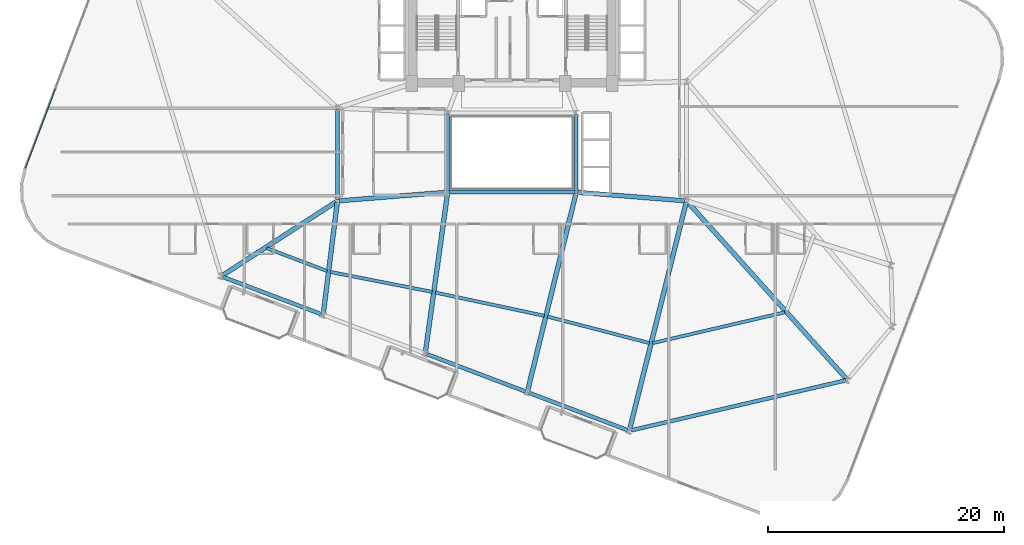
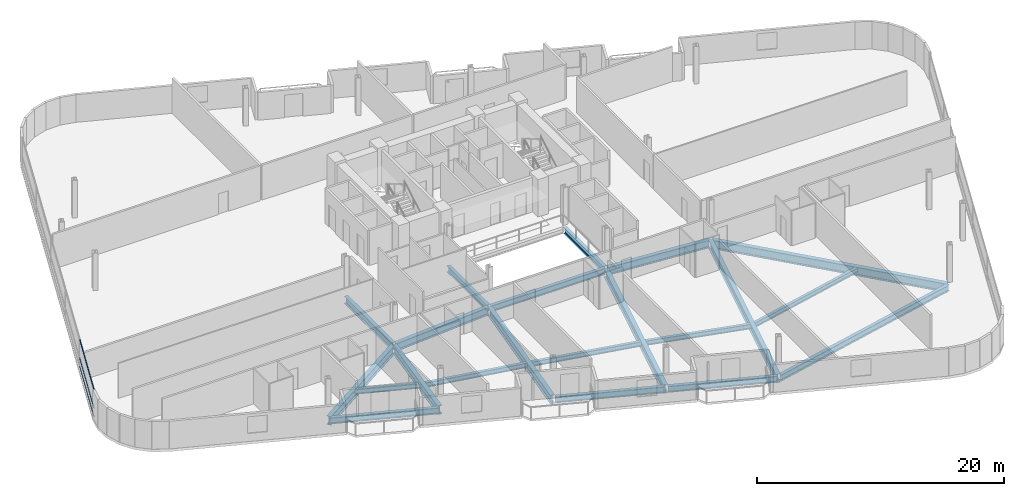
# One storey, part 3 of 25: 21 beams, 3 members, 1 element without a shape of its own.
"""IFC4 building model written with IfcOpenShell, lengths in metres."""

from ifc_helpers import new_model, si_unit, direction, frame, origin, origin_2d, place, context, subcontext, project, spatial, hollow_rectangle, i_section, extrude, material, layer, layer_set, material_profile, profile_set, type_object, element, aggregate, save


model = new_model("IFC4")

# Units and contexts
model_context = context("Model", 3, precision=1e-05, world=origin(), true_north=direction((0.0, 1.0)))
body_context = subcontext(model_context, "Body", "Model", "MODEL_VIEW")
ifc_project = project(units=[si_unit("LENGTHUNIT", "METRE"), si_unit("AREAUNIT", "SQUARE_METRE"), si_unit("VOLUMEUNIT", "CUBIC_METRE"), si_unit("PLANEANGLEUNIT", "RADIAN"), si_unit("MASSUNIT", "GRAM", prefix="KILO")], contexts=[model_context])

# Site, building, storey
site_placement = place(None, origin())
site = spatial("IfcSite", under=ifc_project, at=site_placement, CompositionType="ELEMENT")
building_placement = place(site_placement, origin())
building = spatial("IfcBuilding", under=site, at=building_placement, Name="Varnelok Gate Tower", CompositionType="ELEMENT")
storey_placement = place(building_placement, frame((0.0, 0.0, 83.60009765625)))
storey = spatial("IfcBuildingStorey", under=building, at=storey_placement, Name="L20", CompositionType="ELEMENT", Elevation=83.60009765625)

# Beams
ifc_material_1 = material(Name="Structural Steel ASTM A992 Grade 50", Category="steel")
ifc_material_profile_1 = material_profile(ifc_material_1, i_section(OverallWidth=0.280029296875, OverallDepth=0.462890625, WebThickness=0.0107421875, FlangeThickness=0.017333984375, FilletRadius=0.014892578125, at=origin_2d()), Name="W18X76")
ifc_profile_set_1 = profile_set([ifc_material_profile_1], Name="Structural Steel ASTM A992 Grade 50")
beam_type_1 = type_object("IfcBeamType", Name="BM-JST-W18X76", PredefinedType="JOIST", material=ifc_profile_set_1)
beam_1_placement = place(storey_placement, frame((18.41845703125, 14.79248046875, -0.481689453125), z_axis=(0.935220980755, -0.354064566365, 0.0), x_axis=(0.354064566365, 0.935220980755, 0.0)))
element("IfcBeam", 1, at=beam_1_placement, inside=storey, type_object=beam_type_1, Name="L20 Sector Floor Joist 1", PredefinedType="JOIST", context=body_context, shape_type="SweptSolid", body=[
    extrude(i_section(OverallWidth=0.280029296875, OverallDepth=0.462890625, WebThickness=0.0107421875, FlangeThickness=0.017333984375, FilletRadius=0.014892578125, at=origin_2d()), origin(), (0.0, 0.0, 1.0), 5.454833984375),
])
beam_2_placement = place(storey_placement, frame((23.788330078125, 12.78466796875, -0.481689453125), z_axis=(0.981373341714, -0.192110291692, 0.0), x_axis=(0.192110291692, 0.981373341714, 0.0)))
element("IfcBeam", 2, at=beam_2_placement, inside=storey, type_object=beam_type_1, Name="L20 Sector Floor Joist 2", PredefinedType="JOIST", context=body_context, shape_type="SweptSolid", body=[
    extrude(i_section(OverallWidth=0.280029296875, OverallDepth=0.462890625, WebThickness=0.0107421875, FlangeThickness=0.017333984375, FilletRadius=0.014892578125, at=origin_2d()), origin(), (0.0, 0.0, 1.0), 8.8056640625),
])
beam_3_placement = place(storey_placement, frame((32.704345703125, 11.03662109375, -0.481689453125), z_axis=(0.977938835905, -0.20889143886, 0.0), x_axis=(0.20889143886, 0.977938835905, 0.0)))
element("IfcBeam", 3, at=beam_3_placement, inside=storey, type_object=beam_type_1, Name="L20 Sector Floor Joist 3", PredefinedType="JOIST", context=body_context, shape_type="SweptSolid", body=[
    extrude(i_section(OverallWidth=0.280029296875, OverallDepth=0.462890625, WebThickness=0.0107421875, FlangeThickness=0.017333984375, FilletRadius=0.014892578125, at=origin_2d()), origin(), (0.0, 0.0, 1.0), 9.43994140625),
])
beam_4_placement = place(storey_placement, frame((42.20849609375, 9.000244140625, -0.481689453125), z_axis=(0.967889835008, -0.251374754675, 0.0), x_axis=(0.251374754675, 0.967889835008, 0.0)))
element("IfcBeam", 4, at=beam_4_placement, inside=storey, type_object=beam_type_1, Name="L20 Sector Floor Joist 4", PredefinedType="JOIST", context=body_context, shape_type="SweptSolid", body=[
    extrude(i_section(OverallWidth=0.280029296875, OverallDepth=0.462890625, WebThickness=0.0107421875, FlangeThickness=0.017333984375, FilletRadius=0.014892578125, at=origin_2d()), origin(), (0.0, 0.0, 1.0), 8.932373046875),
])
beam_5_placement = place(storey_placement, frame((51.125732421875, 6.751708984375, -0.481689453125), z_axis=(0.973879585233, 0.227065086412, 0.0), x_axis=(-0.227065086412, 0.973879585233, 0.0)))
element("IfcBeam", 5, at=beam_5_placement, inside=storey, type_object=beam_type_1, Name="L20 Sector Floor Joist 5", PredefinedType="JOIST", context=body_context, shape_type="SweptSolid", body=[
    extrude(i_section(OverallWidth=0.280029296875, OverallDepth=0.462890625, WebThickness=0.0107421875, FlangeThickness=0.017333984375, FilletRadius=0.014892578125, at=origin_2d()), origin(), (0.0, 0.0, 1.0), 11.492919921875),
])
ifc_material_profile_2 = material_profile(ifc_material_1, i_section(OverallWidth=0.35498046875, OverallDepth=0.696044921875, WebThickness=0.015380859375, FlangeThickness=0.02490234375, FilletRadius=0.02001953125, at=origin_2d()), Name="W27X146")
ifc_profile_set_2 = profile_set([ifc_material_profile_2], Name="Structural Steel ASTM A992 Grade 50")
beam_type_2 = type_object("IfcBeamType", Name="BM-PRI-W27X146", PredefinedType="BEAM", material=ifc_profile_set_2)
beam_6_placement = place(storey_placement, frame((24.39990234375, 18.919921875, -0.59814453125), z_axis=(0.0, 1.0, 0.0), x_axis=(-1.0, 0.0, 0.0)))
element("IfcBeam", 6, at=beam_6_placement, inside=storey, type_object=beam_type_2, Name="L20 Core-Atrium Spine Beam 16", PredefinedType="BEAM", context=body_context, shape_type="SweptSolid", body=[
    extrude(i_section(OverallWidth=0.35498046875, OverallDepth=0.696044921875, WebThickness=0.015380859375, FlangeThickness=0.02490234375, FilletRadius=0.02001953125, at=origin_2d()), origin(), (0.0, 0.0, 1.0), 7.64013671875),
])
ifc_material_profile_3 = material_profile(ifc_material_1, i_section(OverallWidth=0.381103515625, OverallDepth=0.77294921875, WebThickness=0.0166015625, FlangeThickness=0.027099609375, FilletRadius=0.02197265625, at=origin_2d()), Name="W30X173")
ifc_profile_set_3 = profile_set([ifc_material_profile_3], Name="Structural Steel ASTM A992 Grade 50")
beam_type_3 = type_object("IfcBeamType", Name="BM-PRI-W30X173", PredefinedType="BEAM", material=ifc_profile_set_3)
for number, where, z_axis, x_axis, name in (
    (7, (24.51953125, 18.8095703125, -0.63671875), (0.996799206292, 0.07994587128, 0.0), (-0.07994587128, 0.996799206292, 0.0), "L20 Core-Atrium Spine Beam 14"),
    (8, (44.76953125, 19.540283203125, -0.63671875), (0.996799206292, -0.07994587128, 0.0), (0.07994587128, 0.996799206292, 0.0), "L20 Core-Atrium Spine Beam 18"),
):
    element("IfcBeam", number, at=place(storey_placement, frame(where, z_axis=z_axis, x_axis=x_axis)), inside=storey, type_object=beam_type_3, Name=name, PredefinedType="BEAM", context=body_context, shape_type="SweptSolid", body=[
        extrude(i_section(OverallWidth=0.381103515625, OverallDepth=0.77294921875, WebThickness=0.0166015625, FlangeThickness=0.027099609375, FilletRadius=0.02197265625, at=origin_2d()), origin(), (0.0, 0.0, 1.0), 9.14013671875),
    ])
ifc_material_profile_4 = material_profile(ifc_material_1, i_section(OverallWidth=0.39892578125, OverallDepth=0.85498046875, WebThickness=0.018310546875, FlangeThickness=0.029296875, FilletRadius=0.02392578125, at=origin_2d()), Name="W33X201")
ifc_profile_set_4 = profile_set([ifc_material_profile_4], Name="Structural Steel ASTM A992 Grade 50")
beam_type_4 = type_object("IfcBeamType", Name="BM-PRI-W33X201", PredefinedType="BEAM", material=ifc_profile_set_4)
beam_7_placement = place(storey_placement, frame((24.274169921875, 18.718505859375, -0.677490234375), z_axis=(-0.839398998687, -0.543515704468, 0.0), x_axis=(0.543515704468, -0.839398998687, 0.0)))
element("IfcBeam", 9, at=beam_7_placement, inside=storey, type_object=beam_type_4, Name="L20 Radial Floor Girder 1", PredefinedType="BEAM", context=body_context, shape_type="SweptSolid", body=[
    extrude(i_section(OverallWidth=0.39892578125, OverallDepth=0.85498046875, WebThickness=0.018310546875, FlangeThickness=0.029296875, FilletRadius=0.02392578125, at=origin_2d()), origin(), (0.0, 0.0, 1.0), 11.4453125),
])
beam_8_placement = place(storey_placement, frame((24.38134765625, 18.651123046875, -0.677490234375), z_axis=(-0.124114361033, -0.992267920163, 0.0), x_axis=(0.992267920163, -0.124114361033, 0.0)))
element("IfcBeam", 10, at=beam_8_placement, inside=storey, type_object=beam_type_4, Name="L20 Radial Floor Girder 2", PredefinedType="BEAM", context=body_context, shape_type="SweptSolid", body=[
    extrude(i_section(OverallWidth=0.39892578125, OverallDepth=0.85498046875, WebThickness=0.018310546875, FlangeThickness=0.029296875, FilletRadius=0.02392578125, at=origin_2d()), origin(), (0.0, 0.0, 1.0), 9.43408203125),
])
beam_9_placement = place(storey_placement, frame((33.729248046875, 19.4013671875, -0.677490234375), z_axis=(-0.138054699139, -0.990424605937, 0.0), x_axis=(0.990424605937, -0.138054699139, 0.0)))
element("IfcBeam", 11, at=beam_9_placement, inside=storey, type_object=beam_type_4, Name="L20 Radial Floor Girder 3", PredefinedType="BEAM", context=body_context, shape_type="SweptSolid", body=[
    extrude(i_section(OverallWidth=0.39892578125, OverallDepth=0.85498046875, WebThickness=0.018310546875, FlangeThickness=0.029296875, FilletRadius=0.02392578125, at=origin_2d()), origin(), (0.0, 0.0, 1.0), 13.51611328125),
])
beam_10_placement = place(storey_placement, frame((44.6142578125, 19.404296875, -0.677490234375), z_axis=(-0.238054163128, -0.971251880522, 0.0), x_axis=(0.971251880522, -0.238054163128, 0.0)))
element("IfcBeam", 12, at=beam_10_placement, inside=storey, type_object=beam_type_4, Name="L20 Radial Floor Girder 4", PredefinedType="BEAM", context=body_context, shape_type="SweptSolid", body=[
    extrude(i_section(OverallWidth=0.39892578125, OverallDepth=0.85498046875, WebThickness=0.018310546875, FlangeThickness=0.029296875, FilletRadius=0.02392578125, at=origin_2d()), origin(), (0.0, 0.0, 1.0), 17.160888671875),
])
beam_11_placement = place(storey_placement, frame((53.963623046875, 18.654541015625, -0.677490234375), z_axis=(-0.241818229902, -0.970321567156, 0.0), x_axis=(0.970321567156, -0.241818229902, 0.0)))
element("IfcBeam", 13, at=beam_11_placement, inside=storey, type_object=beam_type_4, Name="L20 Radial Floor Girder 5", PredefinedType="BEAM", context=body_context, shape_type="SweptSolid", body=[
    extrude(i_section(OverallWidth=0.39892578125, OverallDepth=0.85498046875, WebThickness=0.018310546875, FlangeThickness=0.029296875, FilletRadius=0.02392578125, at=origin_2d()), origin(), (0.0, 0.0, 1.0), 19.7802734375),
])
beam_12_placement = place(storey_placement, frame((54.100341796875, 18.6884765625, -0.677490234375), z_axis=(0.668462619128, -0.743745740713, 0.0), x_axis=(0.743745740713, 0.668462619128, 0.0)))
element("IfcBeam", 14, at=beam_12_placement, inside=storey, type_object=beam_type_4, Name="L20 Radial Floor Girder 6", PredefinedType="BEAM", context=body_context, shape_type="SweptSolid", body=[
    extrude(i_section(OverallWidth=0.39892578125, OverallDepth=0.85498046875, WebThickness=0.018310546875, FlangeThickness=0.029296875, FilletRadius=0.02392578125, at=origin_2d()), origin(), (0.0, 0.0, 1.0), 20.099853515625),
])
ifc_material_profile_5 = material_profile(ifc_material_1, i_section(OverallWidth=0.323974609375, OverallDepth=0.611083984375, WebThickness=0.0126953125, FlangeThickness=0.01904296875, FilletRadius=0.01806640625, at=origin_2d()), Name="W24X104")
ifc_profile_set_5 = profile_set([ifc_material_profile_5], Name="Structural Steel ASTM A992 Grade 50")
beam_type_5 = type_object("IfcBeamType", Name="BM-SPN-W24X104", PredefinedType="SPANDREL", material=ifc_profile_set_5)
beam_13_placement = place(storey_placement, frame((33.8701171875, 19.550048828125, -0.5556640625), z_axis=(1.0, 0.0, 0.0), x_axis=(0.0, 1.0, 0.0)))
element("IfcBeam", 15, at=beam_13_placement, inside=storey, type_object=beam_type_5, Name="L20 Core-Atrium Spine Beam 8", PredefinedType="SPANDREL", context=body_context, shape_type="SweptSolid", body=[
    extrude(i_section(OverallWidth=0.323974609375, OverallDepth=0.611083984375, WebThickness=0.0126953125, FlangeThickness=0.01904296875, FilletRadius=0.01806640625, at=origin_2d()), origin(), (0.0, 0.0, 1.0), 10.659912109375),
])
for number, where, z_axis, x_axis, name in (
    (16, (33.75, 19.669921875, -0.5556640625), (0.0, 1.0, 0.0), (-1.0, 0.0, 0.0), "L20 Core-Atrium Spine Beam 10"),
    (17, (44.64990234375, 19.669921875, -0.5556640625), (0.0, 1.0, 0.0), (-1.0, 0.0, 0.0), "L20 Core-Atrium Spine Beam 11"),
):
    element("IfcBeam", number, at=place(storey_placement, frame(where, z_axis=z_axis, x_axis=x_axis)), inside=storey, type_object=beam_type_5, Name=name, PredefinedType="SPANDREL", context=body_context, shape_type="SweptSolid", body=[
        extrude(i_section(OverallWidth=0.323974609375, OverallDepth=0.611083984375, WebThickness=0.0126953125, FlangeThickness=0.01904296875, FilletRadius=0.01806640625, at=origin_2d()), origin(), (0.0, 0.0, 1.0), 6.4599609375),
    ])
for number, where, z_axis, x_axis, name in (
    (18, (14.681396484375, 12.363037109375, -0.5556640625), (0.935225969099, -0.354051389947, 0.0), (0.354051389947, 0.935225969099, 0.0), "L20 Perimeter Spandrel Beam 1"),
    (19, (31.98291015625, 5.81298828125, -0.5556640625), (0.935216936382, -0.354075248928, 0.0), (0.354075248928, 0.935216936382, 0.0), "L20 Perimeter Spandrel Beam 3"),
    (20, (40.6337890625, 2.537841796875, -0.5556640625), (0.935216936382, -0.354075248928, 0.0), (0.354075248928, 0.935216936382, 0.0), "L20 Perimeter Spandrel Beam 4"),
):
    element("IfcBeam", number, at=place(storey_placement, frame(where, z_axis=z_axis, x_axis=x_axis)), inside=storey, type_object=beam_type_5, Name=name, PredefinedType="SPANDREL", context=body_context, shape_type="SweptSolid", body=[
        extrude(i_section(OverallWidth=0.323974609375, OverallDepth=0.611083984375, WebThickness=0.0126953125, FlangeThickness=0.01904296875, FilletRadius=0.01806640625, at=origin_2d()), origin(), (0.0, 0.0, 1.0), 8.949951171875),
    ])
beam_14_placement = place(storey_placement, frame((49.290283203125, -0.64990234375, -0.5556640625), z_axis=(0.973880317885, 0.227061944052, 0.0), x_axis=(-0.227061944052, 0.973880317885, 0.0)))
element("IfcBeam", 21, at=beam_14_placement, inside=storey, type_object=beam_type_5, Name="L20 Perimeter Spandrel Beam 5", PredefinedType="SPANDREL", context=body_context, shape_type="SweptSolid", body=[
    extrude(i_section(OverallWidth=0.323974609375, OverallDepth=0.611083984375, WebThickness=0.0126953125, FlangeThickness=0.01904296875, FilletRadius=0.01806640625, at=origin_2d()), origin(), (0.0, 0.0, 1.0), 18.688232421875),
])

# Curtain wall, members
ifc_material_2 = material(Name="Anodized Aluminum Alloy 6063-T6", Category="aluminium")
ifc_layer = layer(ifc_material_2, 0.179931640625)
ifc_layer_set = layer_set([ifc_layer], Name="Anodized Aluminum Alloy 6063-T6")
curtain_wall_type = type_object("IfcCurtainWallType", Name="CW3-HOTEL-VISION", PredefinedType="USERDEFINED", material=ifc_layer_set)
curtain_wall_placement = place(storey_placement, origin())
curtain_wall = element("IfcCurtainWall", 22, at=curtain_wall_placement, inside=storey, type_object=curtain_wall_type, Name="L20 West End Vision Curtain Wall", ObjectType="UNITISED CURTAIN WALL", PredefinedType="USERDEFINED")
ifc_material_profile_6 = material_profile(ifc_material_2, hollow_rectangle(XDim=0.06494140625, YDim=0.159912109375, WallThickness=0.00390625, at=origin_2d()), Name="ALU160X65X4")
ifc_profile_set_6 = profile_set([ifc_material_profile_6], Name="Anodized Aluminum Alloy 6063-T6")
member_type = type_object("IfcMemberType", Name="CW-TRAN-160", PredefinedType="USERDEFINED", material=ifc_profile_set_6)
member_1_placement = place(storey_placement, frame((-2.031982421875, 21.625732421875, 0.032470703125), z_axis=(0.35408846525, 0.935211932546, 0.0), x_axis=(-0.935211932546, 0.35408846525, 0.0)))
member_1 = element("IfcMember", 23, at=member_1_placement, type_object=member_type, Name="CW3 transom 1.1", ObjectType="TRANSOM", PredefinedType="USERDEFINED", context=body_context, shape_type="SweptSolid", body=[
    extrude(hollow_rectangle(XDim=0.06494140625, YDim=0.159912109375, WallThickness=0.00390625, at=origin_2d()), origin(), (0.0, 0.0, 1.0), 7.142333984375),
])
member_2_placement = place(storey_placement, frame((-2.031982421875, 21.625732421875, 0.89990234375), z_axis=(0.35408846525, 0.935211932546, 0.0), x_axis=(-0.935211932546, 0.35408846525, 0.0)))
member_2 = element("IfcMember", 24, at=member_2_placement, type_object=member_type, Name="CW3 transom 1.2", ObjectType="TRANSOM", PredefinedType="USERDEFINED", context=body_context, shape_type="SweptSolid", body=[
    extrude(hollow_rectangle(XDim=0.06494140625, YDim=0.159912109375, WallThickness=0.00390625, at=origin_2d()), origin(), (0.0, 0.0, 1.0), 7.142333984375),
])
member_3_placement = place(storey_placement, frame((-2.031982421875, 21.625732421875, 2.697509765625), z_axis=(0.35408846525, 0.935211932546, 0.0), x_axis=(-0.935211932546, 0.35408846525, 0.0)))
member_3 = element("IfcMember", 25, at=member_3_placement, type_object=member_type, Name="CW3 transom 1.3", ObjectType="TRANSOM", PredefinedType="USERDEFINED", context=body_context, shape_type="SweptSolid", body=[
    extrude(hollow_rectangle(XDim=0.06494140625, YDim=0.159912109375, WallThickness=0.00390625, at=origin_2d()), origin(), (0.0, 0.0, 1.0), 7.142333984375),
])
aggregate(curtain_wall, [member_1, member_2, member_3])

save(model, "model.ifc")
